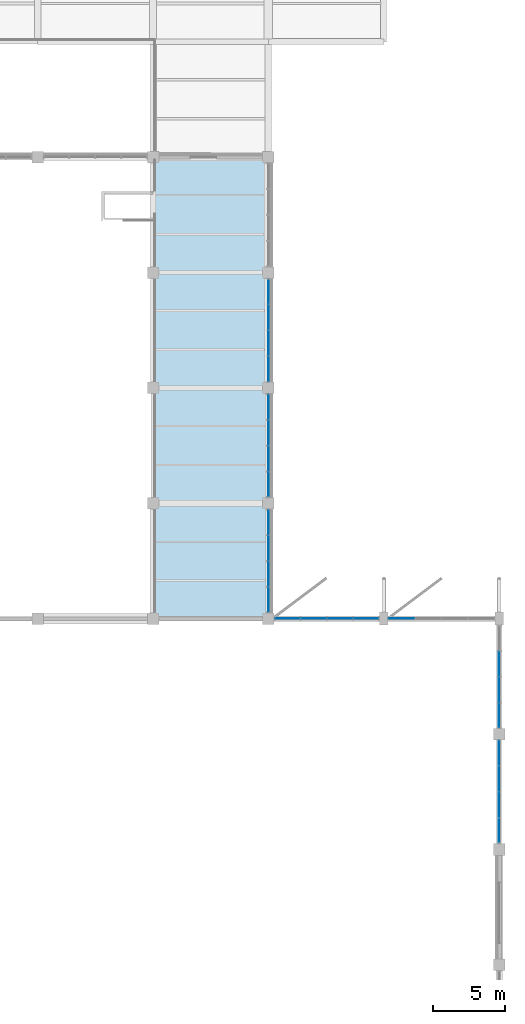
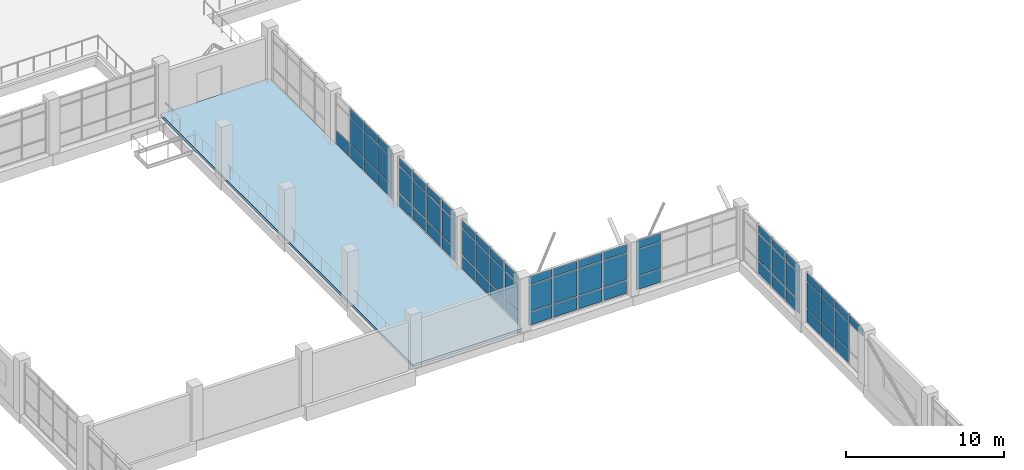
# One storey, part 68 of 84: 68 plates, 1 slab, 7 elements without a shape of their own.
"""IFC4 building model written with IfcOpenShell, lengths in metres."""

from ifc_helpers import new_model, si_unit, direction, frame, origin, origin_2d, place, context, subcontext, project, spatial, polyline, rectangle, outline, extrude, material, layer, layer_set, type_object, element, aggregate, save


model = new_model("IFC4")

# Units and contexts
model_context = context("Model", 3, precision=1e-05, world=origin(), true_north=direction((0.0, 1.0)))
body_context = subcontext(model_context, "Body", "Model", "MODEL_VIEW")
ifc_project = project(units=[si_unit("LENGTHUNIT", "METRE"), si_unit("AREAUNIT", "SQUARE_METRE"), si_unit("VOLUMEUNIT", "CUBIC_METRE"), si_unit("PLANEANGLEUNIT", "RADIAN"), si_unit("MASSUNIT", "GRAM", prefix="KILO")], contexts=[model_context])

# Site, building, storey
site_placement = place(None, origin())
site = spatial("IfcSite", under=ifc_project, at=site_placement, CompositionType="ELEMENT")
building_placement = place(site_placement, origin())
building = spatial("IfcBuilding", under=site, at=building_placement, Name="Tenunan Teduh Sports Hall", CompositionType="ELEMENT")
storey_placement = place(building_placement, frame((0.0, 0.0, 10.800048828125)))
storey = spatial("IfcBuildingStorey", under=building, at=storey_placement, Name="L02", CompositionType="ELEMENT", Elevation=10.800048828125)

# Curtain wall, plates
ifc_material_1 = material(Name="Anodised aluminium", Category="aluminium")
curtain_wall_type_1 = type_object("IfcCurtainWallType", Name="CW-UNIT-2", PredefinedType="NOTDEFINED", material=ifc_material_1)
curtain_wall_1_placement = place(storey_placement, origin())
curtain_wall_1 = element("IfcCurtainWall", 1, at=curtain_wall_1_placement, inside=storey, type_object=curtain_wall_type_1, Name="CW-CWM-200-L02-132", PredefinedType="NOTDEFINED")
ifc_material_2 = material(Name="Low-E laminated double glazing", Category="glass")
ifc_layer_1 = layer(ifc_material_2, 0.028076171875)
ifc_layer_set_1 = layer_set([ifc_layer_1], Name="Low-E laminated double glazing")
plate_type_1 = type_object("IfcPlateType", Name="CWP-GLZ-28", PredefinedType="CURTAIN_PANEL", material=ifc_layer_set_1)
plate_1_placement = place(storey_placement, frame((154.0, 47.3173828125, 1.134765625), z_axis=(0.0, 0.0, 1.0), x_axis=(0.0, 1.0, 0.0)))
plate_1 = element("IfcPlate", 2, at=plate_1_placement, type_object=plate_type_1, Name="CW-02 panel 1.2", PredefinedType="CURTAIN_PANEL", context=body_context, shape_type="SweptSolid", body=[
    extrude(rectangle(XDim=1.695068359375, YDim=0.028076171875, at=origin_2d()), origin(), (0.0, 0.0, 1.0), 2.030029296875),
])
plate_2_placement = place(storey_placement, frame((154.0, 47.3173828125, 3.23486328125), z_axis=(0.0, 0.0, 1.0), x_axis=(0.0, 1.0, 0.0)))
plate_2 = element("IfcPlate", 3, at=plate_2_placement, type_object=plate_type_1, Name="CW-02 panel 1.3", PredefinedType="CURTAIN_PANEL", context=body_context, shape_type="SweptSolid", body=[
    extrude(rectangle(XDim=1.695068359375, YDim=0.028076171875, at=origin_2d()), origin(), (0.0, 0.0, 1.0), 0.614990234375),
])
plate_3_placement = place(storey_placement, frame((154.0, 49.10009765625, 1.134765625), z_axis=(0.0, 0.0, 1.0), x_axis=(0.0, 1.0, 0.0)))
plate_3 = element("IfcPlate", 4, at=plate_3_placement, type_object=plate_type_1, Name="CW-02 panel 2.2", PredefinedType="CURTAIN_PANEL", context=body_context, shape_type="SweptSolid", body=[
    extrude(rectangle(XDim=1.72998046875, YDim=0.028076171875, at=origin_2d()), origin(), (0.0, 0.0, 1.0), 2.030029296875),
])
plate_4_placement = place(storey_placement, frame((154.0, 49.10009765625, 3.23486328125), z_axis=(0.0, 0.0, 1.0), x_axis=(0.0, 1.0, 0.0)))
plate_4 = element("IfcPlate", 5, at=plate_4_placement, type_object=plate_type_1, Name="CW-02 panel 2.3", PredefinedType="CURTAIN_PANEL", context=body_context, shape_type="SweptSolid", body=[
    extrude(rectangle(XDim=1.72998046875, YDim=0.028076171875, at=origin_2d()), origin(), (0.0, 0.0, 1.0), 0.614990234375),
])
plate_5_placement = place(storey_placement, frame((154.0, 50.89990234375, 1.134765625), z_axis=(0.0, 0.0, 1.0), x_axis=(0.0, 1.0, 0.0)))
plate_5 = element("IfcPlate", 6, at=plate_5_placement, type_object=plate_type_1, Name="CW-02 panel 3.2", PredefinedType="CURTAIN_PANEL", context=body_context, shape_type="SweptSolid", body=[
    extrude(rectangle(XDim=1.72998046875, YDim=0.028076171875, at=origin_2d()), origin(), (0.0, 0.0, 1.0), 2.030029296875),
])
plate_6_placement = place(storey_placement, frame((154.0, 50.89990234375, 3.23486328125), z_axis=(0.0, 0.0, 1.0), x_axis=(0.0, 1.0, 0.0)))
plate_6 = element("IfcPlate", 7, at=plate_6_placement, type_object=plate_type_1, Name="CW-02 panel 3.3", PredefinedType="CURTAIN_PANEL", context=body_context, shape_type="SweptSolid", body=[
    extrude(rectangle(XDim=1.72998046875, YDim=0.028076171875, at=origin_2d()), origin(), (0.0, 0.0, 1.0), 0.614990234375),
])
plate_7_placement = place(storey_placement, frame((154.0, 52.6826171875, 1.134765625), z_axis=(0.0, 0.0, 1.0), x_axis=(0.0, 1.0, 0.0)))
plate_7 = element("IfcPlate", 8, at=plate_7_placement, type_object=plate_type_1, Name="CW-02 panel 4.2", PredefinedType="CURTAIN_PANEL", context=body_context, shape_type="SweptSolid", body=[
    extrude(rectangle(XDim=1.695068359375, YDim=0.028076171875, at=origin_2d()), origin(), (0.0, 0.0, 1.0), 2.030029296875),
])
plate_8_placement = place(storey_placement, frame((154.0, 52.6826171875, 3.23486328125), z_axis=(0.0, 0.0, 1.0), x_axis=(0.0, 1.0, 0.0)))
plate_8 = element("IfcPlate", 9, at=plate_8_placement, type_object=plate_type_1, Name="CW-02 panel 4.3", PredefinedType="CURTAIN_PANEL", context=body_context, shape_type="SweptSolid", body=[
    extrude(rectangle(XDim=1.695068359375, YDim=0.028076171875, at=origin_2d()), origin(), (0.0, 0.0, 1.0), 0.614990234375),
])

ifc_material_3 = material(Name="Anodised aluminium", Category="aluminium")
curtain_wall_type_2 = type_object("IfcCurtainWallType", Name="CW-CLER-1", PredefinedType="NOTDEFINED", material=ifc_material_3)
curtain_wall_2_placement = place(storey_placement, origin())
curtain_wall_2 = element("IfcCurtainWall", 10, at=curtain_wall_2_placement, inside=storey, type_object=curtain_wall_type_2, Name="CW-CWM-220-L02-025", PredefinedType="NOTDEFINED")
ifc_material_4 = material(Name="Solar-control laminated glazing", Category="glass")
ifc_layer_2 = layer(ifc_material_4, 0.031982421875)
ifc_layer_set_2 = layer_set([ifc_layer_2], Name="Solar-control laminated glazing")
plate_type_2 = type_object("IfcPlateType", Name="CWP-GLZ-32", PredefinedType="CURTAIN_PANEL", material=ifc_layer_set_2)
plate_9_placement = place(storey_placement, frame((155.331298828125, 46.0, 1.137451171875), z_axis=(0.0, 0.0, 1.0), x_axis=(1.0, 0.0, 0.0)))
plate_9 = element("IfcPlate", 11, at=plate_9_placement, type_object=plate_type_2, Name="CW-03 panel 1.2", PredefinedType="CURTAIN_PANEL", context=body_context, shape_type="SweptSolid", body=[
    extrude(rectangle(XDim=1.71240234375, YDim=0.031982421875, at=origin_2d()), origin(), (0.0, 0.0, 1.0), 2.02490234375),
])
plate_10_placement = place(storey_placement, frame((155.331298828125, 46.0, 3.237548828125), z_axis=(0.0, 0.0, 1.0), x_axis=(1.0, 0.0, 0.0)))
plate_10 = element("IfcPlate", 12, at=plate_10_placement, type_object=plate_type_2, Name="CW-03 panel 1.3", PredefinedType="CURTAIN_PANEL", context=body_context, shape_type="SweptSolid", body=[
    extrude(rectangle(XDim=1.71240234375, YDim=0.031982421875, at=origin_2d()), origin(), (0.0, 0.0, 1.0), 0.607421875),
])
plate_11_placement = place(storey_placement, frame((157.137451171875, 46.0, 1.137451171875), z_axis=(0.0, 0.0, 1.0), x_axis=(1.0, 0.0, 0.0)))
plate_11 = element("IfcPlate", 13, at=plate_11_placement, type_object=plate_type_2, Name="CW-03 panel 2.2", PredefinedType="CURTAIN_PANEL", context=body_context, shape_type="SweptSolid", body=[
    extrude(rectangle(XDim=1.75, YDim=0.031982421875, at=origin_2d()), origin(), (0.0, 0.0, 1.0), 2.02490234375),
])
plate_12_placement = place(storey_placement, frame((157.137451171875, 46.0, 3.237548828125), z_axis=(0.0, 0.0, 1.0), x_axis=(1.0, 0.0, 0.0)))
plate_12 = element("IfcPlate", 14, at=plate_12_placement, type_object=plate_type_2, Name="CW-03 panel 2.3", PredefinedType="CURTAIN_PANEL", context=body_context, shape_type="SweptSolid", body=[
    extrude(rectangle(XDim=1.75, YDim=0.031982421875, at=origin_2d()), origin(), (0.0, 0.0, 1.0), 0.607421875),
])
plate_13_placement = place(storey_placement, frame((158.96240234375, 46.0, 1.137451171875), z_axis=(0.0, 0.0, 1.0), x_axis=(1.0, 0.0, 0.0)))
plate_13 = element("IfcPlate", 15, at=plate_13_placement, type_object=plate_type_2, Name="CW-03 panel 3.2", PredefinedType="CURTAIN_PANEL", context=body_context, shape_type="SweptSolid", body=[
    extrude(rectangle(XDim=1.75, YDim=0.031982421875, at=origin_2d()), origin(), (0.0, 0.0, 1.0), 2.02490234375),
])
plate_14_placement = place(storey_placement, frame((158.96240234375, 46.0, 3.237548828125), z_axis=(0.0, 0.0, 1.0), x_axis=(1.0, 0.0, 0.0)))
plate_14 = element("IfcPlate", 16, at=plate_14_placement, type_object=plate_type_2, Name="CW-03 panel 3.3", PredefinedType="CURTAIN_PANEL", context=body_context, shape_type="SweptSolid", body=[
    extrude(rectangle(XDim=1.75, YDim=0.031982421875, at=origin_2d()), origin(), (0.0, 0.0, 1.0), 0.607421875),
])
plate_15_placement = place(storey_placement, frame((160.768798828125, 46.0, 1.137451171875), z_axis=(0.0, 0.0, 1.0), x_axis=(1.0, 0.0, 0.0)))
plate_15 = element("IfcPlate", 17, at=plate_15_placement, type_object=plate_type_2, Name="CW-03 panel 4.2", PredefinedType="CURTAIN_PANEL", context=body_context, shape_type="SweptSolid", body=[
    extrude(rectangle(XDim=1.71240234375, YDim=0.031982421875, at=origin_2d()), origin(), (0.0, 0.0, 1.0), 2.02490234375),
])
plate_16_placement = place(storey_placement, frame((160.768798828125, 46.0, 3.237548828125), z_axis=(0.0, 0.0, 1.0), x_axis=(1.0, 0.0, 0.0)))
plate_16 = element("IfcPlate", 18, at=plate_16_placement, type_object=plate_type_2, Name="CW-03 panel 4.3", PredefinedType="CURTAIN_PANEL", context=body_context, shape_type="SweptSolid", body=[
    extrude(rectangle(XDim=1.71240234375, YDim=0.031982421875, at=origin_2d()), origin(), (0.0, 0.0, 1.0), 0.607421875),
])

curtain_wall_3_placement = place(storey_placement, origin())
curtain_wall_3 = element("IfcCurtainWall", 19, at=curtain_wall_3_placement, inside=storey, type_object=curtain_wall_type_2, Name="CW-CWM-150-L02-027", PredefinedType="NOTDEFINED")
plate_17_placement = place(storey_placement, frame((163.239990234375, 46.0, 1.1298828125), z_axis=(0.0, 0.0, 1.0), x_axis=(1.0, 0.0, 0.0)))
plate_17 = element("IfcPlate", 20, at=plate_17_placement, type_object=plate_type_2, Name="CW-03 panel 1.2", PredefinedType="CURTAIN_PANEL", context=body_context, shape_type="SweptSolid", body=[
    extrude(rectangle(XDim=1.760009765625, YDim=0.031982421875, at=origin_2d()), origin(), (0.0, 0.0, 1.0), 2.0400390625),
])
plate_18_placement = place(storey_placement, frame((163.239990234375, 46.0, 3.22998046875), z_axis=(0.0, 0.0, 1.0), x_axis=(1.0, 0.0, 0.0)))
plate_18 = element("IfcPlate", 21, at=plate_18_placement, type_object=plate_type_2, Name="CW-03 panel 1.3", PredefinedType="CURTAIN_PANEL", context=body_context, shape_type="SweptSolid", body=[
    extrude(rectangle(XDim=1.760009765625, YDim=0.031982421875, at=origin_2d()), origin(), (0.0, 0.0, 1.0), 0.6298828125),
])

curtain_wall_4_placement = place(storey_placement, origin())
curtain_wall_4 = element("IfcCurtainWall", 22, at=curtain_wall_4_placement, inside=storey, type_object=curtain_wall_type_1, Name="CW-CWM-150-L02-031", PredefinedType="NOTDEFINED")
plate_19_placement = place(storey_placement, frame((170.0, 31.31494140625, 3.22998046875), z_axis=(0.0, 0.0, 1.0), x_axis=(0.0, 1.0, 0.0)))
plate_19 = element("IfcPlate", 23, at=plate_19_placement, type_object=plate_type_2, Name="CW-02 panel 1.3", PredefinedType="CURTAIN_PANEL", context=body_context, shape_type="SweptSolid", body=[
    extrude(rectangle(XDim=1.7099609375, YDim=0.031982421875, at=origin_2d()), origin(), (0.0, 0.0, 1.0), 0.6298828125),
])
plate_20_placement = place(storey_placement, frame((170.0, 33.10009765625, 1.1298828125), z_axis=(0.0, 0.0, 1.0), x_axis=(0.0, 1.0, 0.0)))
plate_20 = element("IfcPlate", 24, at=plate_20_placement, type_object=plate_type_2, Name="CW-02 panel 2.2", PredefinedType="CURTAIN_PANEL", context=body_context, shape_type="SweptSolid", body=[
    extrude(rectangle(XDim=1.739990234375, YDim=0.031982421875, at=origin_2d()), origin(), (0.0, 0.0, 1.0), 2.0400390625),
])
plate_21_placement = place(storey_placement, frame((170.0, 33.10009765625, 3.22998046875), z_axis=(0.0, 0.0, 1.0), x_axis=(0.0, 1.0, 0.0)))
plate_21 = element("IfcPlate", 25, at=plate_21_placement, type_object=plate_type_2, Name="CW-02 panel 2.3", PredefinedType="CURTAIN_PANEL", context=body_context, shape_type="SweptSolid", body=[
    extrude(rectangle(XDim=1.739990234375, YDim=0.031982421875, at=origin_2d()), origin(), (0.0, 0.0, 1.0), 0.6298828125),
])
plate_22_placement = place(storey_placement, frame((170.0, 34.89990234375, 1.1298828125), z_axis=(0.0, 0.0, 1.0), x_axis=(0.0, 1.0, 0.0)))
plate_22 = element("IfcPlate", 26, at=plate_22_placement, type_object=plate_type_2, Name="CW-02 panel 3.2", PredefinedType="CURTAIN_PANEL", context=body_context, shape_type="SweptSolid", body=[
    extrude(rectangle(XDim=1.739990234375, YDim=0.031982421875, at=origin_2d()), origin(), (0.0, 0.0, 1.0), 2.0400390625),
])
plate_23_placement = place(storey_placement, frame((170.0, 34.89990234375, 3.22998046875), z_axis=(0.0, 0.0, 1.0), x_axis=(0.0, 1.0, 0.0)))
plate_23 = element("IfcPlate", 27, at=plate_23_placement, type_object=plate_type_2, Name="CW-02 panel 3.3", PredefinedType="CURTAIN_PANEL", context=body_context, shape_type="SweptSolid", body=[
    extrude(rectangle(XDim=1.739990234375, YDim=0.031982421875, at=origin_2d()), origin(), (0.0, 0.0, 1.0), 0.6298828125),
])
plate_24_placement = place(storey_placement, frame((170.0, 36.68505859375, 1.1298828125), z_axis=(0.0, 0.0, 1.0), x_axis=(0.0, 1.0, 0.0)))
plate_24 = element("IfcPlate", 28, at=plate_24_placement, type_object=plate_type_2, Name="CW-02 panel 4.2", PredefinedType="CURTAIN_PANEL", context=body_context, shape_type="SweptSolid", body=[
    extrude(rectangle(XDim=1.7099609375, YDim=0.031982421875, at=origin_2d()), origin(), (0.0, 0.0, 1.0), 2.0400390625),
])
plate_25_placement = place(storey_placement, frame((170.0, 36.68505859375, 3.22998046875), z_axis=(0.0, 0.0, 1.0), x_axis=(0.0, 1.0, 0.0)))
plate_25 = element("IfcPlate", 29, at=plate_25_placement, type_object=plate_type_2, Name="CW-02 panel 4.3", PredefinedType="CURTAIN_PANEL", context=body_context, shape_type="SweptSolid", body=[
    extrude(rectangle(XDim=1.7099609375, YDim=0.031982421875, at=origin_2d()), origin(), (0.0, 0.0, 1.0), 0.6298828125),
])

curtain_wall_5_placement = place(storey_placement, origin())
curtain_wall_5 = element("IfcCurtainWall", 30, at=curtain_wall_5_placement, inside=storey, type_object=curtain_wall_type_1, Name="CW-CWM-220-L02-033", PredefinedType="NOTDEFINED")
plate_26_placement = place(storey_placement, frame((170.0, 39.3125, 1.137451171875), z_axis=(0.0, 0.0, 1.0), x_axis=(0.0, 1.0, 0.0)))
plate_26 = element("IfcPlate", 31, at=plate_26_placement, type_object=plate_type_2, Name="CW-02 panel 1.2", PredefinedType="CURTAIN_PANEL", context=body_context, shape_type="SweptSolid", body=[
    extrude(rectangle(XDim=1.675048828125, YDim=0.031982421875, at=origin_2d()), origin(), (0.0, 0.0, 1.0), 2.02490234375),
])
plate_27_placement = place(storey_placement, frame((170.0, 39.3125, 3.237548828125), z_axis=(0.0, 0.0, 1.0), x_axis=(0.0, 1.0, 0.0)))
plate_27 = element("IfcPlate", 32, at=plate_27_placement, type_object=plate_type_2, Name="CW-02 panel 1.3", PredefinedType="CURTAIN_PANEL", context=body_context, shape_type="SweptSolid", body=[
    extrude(rectangle(XDim=1.675048828125, YDim=0.031982421875, at=origin_2d()), origin(), (0.0, 0.0, 1.0), 0.607421875),
])
plate_28_placement = place(storey_placement, frame((170.0, 41.081298828125, 1.137451171875), z_axis=(0.0, 0.0, 1.0), x_axis=(0.0, 1.0, 0.0)))
plate_28 = element("IfcPlate", 33, at=plate_28_placement, type_object=plate_type_2, Name="CW-02 panel 2.2", PredefinedType="CURTAIN_PANEL", context=body_context, shape_type="SweptSolid", body=[
    extrude(rectangle(XDim=1.71240234375, YDim=0.031982421875, at=origin_2d()), origin(), (0.0, 0.0, 1.0), 2.02490234375),
])
plate_29_placement = place(storey_placement, frame((170.0, 41.081298828125, 3.237548828125), z_axis=(0.0, 0.0, 1.0), x_axis=(0.0, 1.0, 0.0)))
plate_29 = element("IfcPlate", 34, at=plate_29_placement, type_object=plate_type_2, Name="CW-02 panel 2.3", PredefinedType="CURTAIN_PANEL", context=body_context, shape_type="SweptSolid", body=[
    extrude(rectangle(XDim=1.71240234375, YDim=0.031982421875, at=origin_2d()), origin(), (0.0, 0.0, 1.0), 0.607421875),
])
plate_30_placement = place(storey_placement, frame((170.0, 42.86865234375, 1.137451171875), z_axis=(0.0, 0.0, 1.0), x_axis=(0.0, 1.0, 0.0)))
plate_30 = element("IfcPlate", 35, at=plate_30_placement, type_object=plate_type_2, Name="CW-02 panel 3.2", PredefinedType="CURTAIN_PANEL", context=body_context, shape_type="SweptSolid", body=[
    extrude(rectangle(XDim=1.71240234375, YDim=0.031982421875, at=origin_2d()), origin(), (0.0, 0.0, 1.0), 2.02490234375),
])
plate_31_placement = place(storey_placement, frame((170.0, 42.86865234375, 3.237548828125), z_axis=(0.0, 0.0, 1.0), x_axis=(0.0, 1.0, 0.0)))
plate_31 = element("IfcPlate", 36, at=plate_31_placement, type_object=plate_type_2, Name="CW-02 panel 3.3", PredefinedType="CURTAIN_PANEL", context=body_context, shape_type="SweptSolid", body=[
    extrude(rectangle(XDim=1.71240234375, YDim=0.031982421875, at=origin_2d()), origin(), (0.0, 0.0, 1.0), 0.607421875),
])

curtain_wall_6_placement = place(storey_placement, origin())
curtain_wall_6 = element("IfcCurtainWall", 37, at=curtain_wall_6_placement, inside=storey, type_object=curtain_wall_type_1, Name="CW-CWM-220-L02-133", PredefinedType="NOTDEFINED")
plate_32_placement = place(storey_placement, frame((154.0, 55.31884765625, 1.137451171875), z_axis=(0.0, 0.0, 1.0), x_axis=(0.0, 1.0, 0.0)))
plate_32 = element("IfcPlate", 38, at=plate_32_placement, type_object=plate_type_2, Name="CW-02 panel 1.2", PredefinedType="CURTAIN_PANEL", context=body_context, shape_type="SweptSolid", body=[
    extrude(rectangle(XDim=1.6875, YDim=0.031982421875, at=origin_2d()), origin(), (0.0, 0.0, 1.0), 2.02490234375),
])
plate_33_placement = place(storey_placement, frame((154.0, 55.31884765625, 3.237548828125), z_axis=(0.0, 0.0, 1.0), x_axis=(0.0, 1.0, 0.0)))
plate_33 = element("IfcPlate", 39, at=plate_33_placement, type_object=plate_type_2, Name="CW-02 panel 1.3", PredefinedType="CURTAIN_PANEL", context=body_context, shape_type="SweptSolid", body=[
    extrude(rectangle(XDim=1.6875, YDim=0.031982421875, at=origin_2d()), origin(), (0.0, 0.0, 1.0), 0.607421875),
])
plate_34_placement = place(storey_placement, frame((154.0, 57.10009765625, 1.137451171875), z_axis=(0.0, 0.0, 1.0), x_axis=(0.0, 1.0, 0.0)))
plate_34 = element("IfcPlate", 40, at=plate_34_placement, type_object=plate_type_2, Name="CW-02 panel 2.2", PredefinedType="CURTAIN_PANEL", context=body_context, shape_type="SweptSolid", body=[
    extrude(rectangle(XDim=1.72509765625, YDim=0.031982421875, at=origin_2d()), origin(), (0.0, 0.0, 1.0), 2.02490234375),
])
plate_35_placement = place(storey_placement, frame((154.0, 57.10009765625, 3.237548828125), z_axis=(0.0, 0.0, 1.0), x_axis=(0.0, 1.0, 0.0)))
plate_35 = element("IfcPlate", 41, at=plate_35_placement, type_object=plate_type_2, Name="CW-02 panel 2.3", PredefinedType="CURTAIN_PANEL", context=body_context, shape_type="SweptSolid", body=[
    extrude(rectangle(XDim=1.72509765625, YDim=0.031982421875, at=origin_2d()), origin(), (0.0, 0.0, 1.0), 0.607421875),
])
plate_36_placement = place(storey_placement, frame((154.0, 58.89990234375, 1.137451171875), z_axis=(0.0, 0.0, 1.0), x_axis=(0.0, 1.0, 0.0)))
plate_36 = element("IfcPlate", 42, at=plate_36_placement, type_object=plate_type_2, Name="CW-02 panel 3.2", PredefinedType="CURTAIN_PANEL", context=body_context, shape_type="SweptSolid", body=[
    extrude(rectangle(XDim=1.72509765625, YDim=0.031982421875, at=origin_2d()), origin(), (0.0, 0.0, 1.0), 2.02490234375),
])
plate_37_placement = place(storey_placement, frame((154.0, 58.89990234375, 3.237548828125), z_axis=(0.0, 0.0, 1.0), x_axis=(0.0, 1.0, 0.0)))
plate_37 = element("IfcPlate", 43, at=plate_37_placement, type_object=plate_type_2, Name="CW-02 panel 3.3", PredefinedType="CURTAIN_PANEL", context=body_context, shape_type="SweptSolid", body=[
    extrude(rectangle(XDim=1.72509765625, YDim=0.031982421875, at=origin_2d()), origin(), (0.0, 0.0, 1.0), 0.607421875),
])
plate_38_placement = place(storey_placement, frame((154.0, 60.68115234375, 1.137451171875), z_axis=(0.0, 0.0, 1.0), x_axis=(0.0, 1.0, 0.0)))
plate_38 = element("IfcPlate", 44, at=plate_38_placement, type_object=plate_type_2, Name="CW-02 panel 4.2", PredefinedType="CURTAIN_PANEL", context=body_context, shape_type="SweptSolid", body=[
    extrude(rectangle(XDim=1.6875, YDim=0.031982421875, at=origin_2d()), origin(), (0.0, 0.0, 1.0), 2.02490234375),
])
plate_39_placement = place(storey_placement, frame((154.0, 60.68115234375, 3.237548828125), z_axis=(0.0, 0.0, 1.0), x_axis=(0.0, 1.0, 0.0)))
plate_39 = element("IfcPlate", 45, at=plate_39_placement, type_object=plate_type_2, Name="CW-02 panel 4.3", PredefinedType="CURTAIN_PANEL", context=body_context, shape_type="SweptSolid", body=[
    extrude(rectangle(XDim=1.6875, YDim=0.031982421875, at=origin_2d()), origin(), (0.0, 0.0, 1.0), 0.607421875),
])

curtain_wall_7_placement = place(storey_placement, origin())
curtain_wall_7 = element("IfcCurtainWall", 46, at=curtain_wall_7_placement, inside=storey, type_object=curtain_wall_type_1, Name="CW-CWM-150-L02-135", PredefinedType="NOTDEFINED")
plate_40_placement = place(storey_placement, frame((154.0, 63.31494140625, 1.1298828125), z_axis=(0.0, 0.0, 1.0), x_axis=(0.0, 1.0, 0.0)))
plate_40 = element("IfcPlate", 47, at=plate_40_placement, type_object=plate_type_2, Name="CW-02 panel 1.2", PredefinedType="CURTAIN_PANEL", context=body_context, shape_type="SweptSolid", body=[
    extrude(rectangle(XDim=1.7099609375, YDim=0.031982421875, at=origin_2d()), origin(), (0.0, 0.0, 1.0), 2.0400390625),
])
plate_41_placement = place(storey_placement, frame((154.0, 63.31494140625, 3.22998046875), z_axis=(0.0, 0.0, 1.0), x_axis=(0.0, 1.0, 0.0)))
plate_41 = element("IfcPlate", 48, at=plate_41_placement, type_object=plate_type_2, Name="CW-02 panel 1.3", PredefinedType="CURTAIN_PANEL", context=body_context, shape_type="SweptSolid", body=[
    extrude(rectangle(XDim=1.7099609375, YDim=0.031982421875, at=origin_2d()), origin(), (0.0, 0.0, 1.0), 0.6298828125),
])
plate_42_placement = place(storey_placement, frame((154.0, 65.10009765625, 1.1298828125), z_axis=(0.0, 0.0, 1.0), x_axis=(0.0, 1.0, 0.0)))
plate_42 = element("IfcPlate", 49, at=plate_42_placement, type_object=plate_type_2, Name="CW-02 panel 2.2", PredefinedType="CURTAIN_PANEL", context=body_context, shape_type="SweptSolid", body=[
    extrude(rectangle(XDim=1.739990234375, YDim=0.031982421875, at=origin_2d()), origin(), (0.0, 0.0, 1.0), 2.0400390625),
])
plate_43_placement = place(storey_placement, frame((154.0, 65.10009765625, 3.22998046875), z_axis=(0.0, 0.0, 1.0), x_axis=(0.0, 1.0, 0.0)))
plate_43 = element("IfcPlate", 50, at=plate_43_placement, type_object=plate_type_2, Name="CW-02 panel 2.3", PredefinedType="CURTAIN_PANEL", context=body_context, shape_type="SweptSolid", body=[
    extrude(rectangle(XDim=1.739990234375, YDim=0.031982421875, at=origin_2d()), origin(), (0.0, 0.0, 1.0), 0.6298828125),
])
plate_44_placement = place(storey_placement, frame((154.0, 66.89990234375, 1.1298828125), z_axis=(0.0, 0.0, 1.0), x_axis=(0.0, 1.0, 0.0)))
plate_44 = element("IfcPlate", 51, at=plate_44_placement, type_object=plate_type_2, Name="CW-02 panel 3.2", PredefinedType="CURTAIN_PANEL", context=body_context, shape_type="SweptSolid", body=[
    extrude(rectangle(XDim=1.739990234375, YDim=0.031982421875, at=origin_2d()), origin(), (0.0, 0.0, 1.0), 2.0400390625),
])
plate_45_placement = place(storey_placement, frame((154.0, 66.89990234375, 3.22998046875), z_axis=(0.0, 0.0, 1.0), x_axis=(0.0, 1.0, 0.0)))
plate_45 = element("IfcPlate", 52, at=plate_45_placement, type_object=plate_type_2, Name="CW-02 panel 3.3", PredefinedType="CURTAIN_PANEL", context=body_context, shape_type="SweptSolid", body=[
    extrude(rectangle(XDim=1.739990234375, YDim=0.031982421875, at=origin_2d()), origin(), (0.0, 0.0, 1.0), 0.6298828125),
])

# Plate
ifc_material_5 = material(Name="Insulated aluminium spandrel panel", Category="aluminium")
ifc_layer_3 = layer(ifc_material_5, 0.044921875)
ifc_layer_set_3 = layer_set([ifc_layer_3], Name="Insulated aluminium spandrel panel")
plate_type_3 = type_object("IfcPlateType", Name="CWP-SPN-45", PredefinedType="CURTAIN_PANEL", material=ifc_layer_set_3)
plate_46_placement = place(storey_placement, frame((155.331298828125, 46.0, 0.07470703125), z_axis=(0.0, 0.0, 1.0), x_axis=(1.0, 0.0, 0.0)))
plate_46 = element("IfcPlate", 53, at=plate_46_placement, type_object=plate_type_3, Name="CW-03 panel 1.1", PredefinedType="CURTAIN_PANEL", context=body_context, shape_type="SweptSolid", body=[
    extrude(rectangle(XDim=1.71240234375, YDim=0.031982421875, at=origin_2d()), origin(), (0.0, 0.0, 1.0), 0.987548828125),
])

plate_47_placement = place(storey_placement, frame((157.137451171875, 46.0, 0.07470703125), z_axis=(0.0, 0.0, 1.0), x_axis=(1.0, 0.0, 0.0)))
plate_47 = element("IfcPlate", 54, at=plate_47_placement, type_object=plate_type_3, Name="CW-03 panel 2.1", PredefinedType="CURTAIN_PANEL", context=body_context, shape_type="SweptSolid", body=[
    extrude(rectangle(XDim=1.75, YDim=0.031982421875, at=origin_2d()), origin(), (0.0, 0.0, 1.0), 0.987548828125),
])

plate_48_placement = place(storey_placement, frame((158.96240234375, 46.0, 0.07470703125), z_axis=(0.0, 0.0, 1.0), x_axis=(1.0, 0.0, 0.0)))
plate_48 = element("IfcPlate", 55, at=plate_48_placement, type_object=plate_type_3, Name="CW-03 panel 3.1", PredefinedType="CURTAIN_PANEL", context=body_context, shape_type="SweptSolid", body=[
    extrude(rectangle(XDim=1.75, YDim=0.031982421875, at=origin_2d()), origin(), (0.0, 0.0, 1.0), 0.987548828125),
])

plate_49_placement = place(storey_placement, frame((160.768798828125, 46.0, 0.07470703125), z_axis=(0.0, 0.0, 1.0), x_axis=(1.0, 0.0, 0.0)))
plate_49 = element("IfcPlate", 56, at=plate_49_placement, type_object=plate_type_3, Name="CW-03 panel 4.1", PredefinedType="CURTAIN_PANEL", context=body_context, shape_type="SweptSolid", body=[
    extrude(rectangle(XDim=1.71240234375, YDim=0.031982421875, at=origin_2d()), origin(), (0.0, 0.0, 1.0), 0.987548828125),
])

aggregate(curtain_wall_2, [plate_46, plate_9, plate_10, plate_47, plate_11, plate_12, plate_48, plate_13, plate_14, plate_49, plate_15, plate_16])

plate_50_placement = place(storey_placement, frame((163.239990234375, 46.0, 0.06005859375), z_axis=(0.0, 0.0, 1.0), x_axis=(1.0, 0.0, 0.0)))
plate_50 = element("IfcPlate", 57, at=plate_50_placement, type_object=plate_type_3, Name="CW-03 panel 1.1", PredefinedType="CURTAIN_PANEL", context=body_context, shape_type="SweptSolid", body=[
    extrude(rectangle(XDim=1.760009765625, YDim=0.031982421875, at=origin_2d()), origin(), (0.0, 0.0, 1.0), 1.010009765625),
])

aggregate(curtain_wall_3, [plate_50, plate_17, plate_18])

plate_51_placement = place(storey_placement, frame((170.0, 33.10009765625, 0.06005859375), z_axis=(0.0, 0.0, 1.0), x_axis=(0.0, 1.0, 0.0)))
plate_51 = element("IfcPlate", 58, at=plate_51_placement, type_object=plate_type_3, Name="CW-02 panel 2.1", PredefinedType="CURTAIN_PANEL", context=body_context, shape_type="SweptSolid", body=[
    extrude(rectangle(XDim=1.739990234375, YDim=0.031982421875, at=origin_2d()), origin(), (0.0, 0.0, 1.0), 1.010009765625),
])

plate_52_placement = place(storey_placement, frame((170.0, 34.89990234375, 0.06005859375), z_axis=(0.0, 0.0, 1.0), x_axis=(0.0, 1.0, 0.0)))
plate_52 = element("IfcPlate", 59, at=plate_52_placement, type_object=plate_type_3, Name="CW-02 panel 3.1", PredefinedType="CURTAIN_PANEL", context=body_context, shape_type="SweptSolid", body=[
    extrude(rectangle(XDim=1.739990234375, YDim=0.031982421875, at=origin_2d()), origin(), (0.0, 0.0, 1.0), 1.010009765625),
])

plate_53_placement = place(storey_placement, frame((170.0, 36.68505859375, 0.06005859375), z_axis=(0.0, 0.0, 1.0), x_axis=(0.0, 1.0, 0.0)))
plate_53 = element("IfcPlate", 60, at=plate_53_placement, type_object=plate_type_3, Name="CW-02 panel 4.1", PredefinedType="CURTAIN_PANEL", context=body_context, shape_type="SweptSolid", body=[
    extrude(rectangle(XDim=1.7099609375, YDim=0.031982421875, at=origin_2d()), origin(), (0.0, 0.0, 1.0), 1.010009765625),
])

aggregate(curtain_wall_4, [plate_19, plate_51, plate_20, plate_21, plate_52, plate_22, plate_23, plate_53, plate_24, plate_25])

plate_54_placement = place(storey_placement, frame((170.0, 39.3125, 0.07470703125), z_axis=(0.0, 0.0, 1.0), x_axis=(0.0, 1.0, 0.0)))
plate_54 = element("IfcPlate", 61, at=plate_54_placement, type_object=plate_type_3, Name="CW-02 panel 1.1", PredefinedType="CURTAIN_PANEL", context=body_context, shape_type="SweptSolid", body=[
    extrude(rectangle(XDim=1.675048828125, YDim=0.031982421875, at=origin_2d()), origin(), (0.0, 0.0, 1.0), 0.987548828125),
])

plate_55_placement = place(storey_placement, frame((170.0, 41.081298828125, 0.07470703125), z_axis=(0.0, 0.0, 1.0), x_axis=(0.0, 1.0, 0.0)))
plate_55 = element("IfcPlate", 62, at=plate_55_placement, type_object=plate_type_3, Name="CW-02 panel 2.1", PredefinedType="CURTAIN_PANEL", context=body_context, shape_type="SweptSolid", body=[
    extrude(rectangle(XDim=1.71240234375, YDim=0.031982421875, at=origin_2d()), origin(), (0.0, 0.0, 1.0), 0.987548828125),
])

plate_56_placement = place(storey_placement, frame((170.0, 42.86865234375, 0.07470703125), z_axis=(0.0, 0.0, 1.0), x_axis=(0.0, 1.0, 0.0)))
plate_56 = element("IfcPlate", 63, at=plate_56_placement, type_object=plate_type_3, Name="CW-02 panel 3.1", PredefinedType="CURTAIN_PANEL", context=body_context, shape_type="SweptSolid", body=[
    extrude(rectangle(XDim=1.71240234375, YDim=0.031982421875, at=origin_2d()), origin(), (0.0, 0.0, 1.0), 0.987548828125),
])

aggregate(curtain_wall_5, [plate_54, plate_26, plate_27, plate_55, plate_28, plate_29, plate_56, plate_30, plate_31])

plate_57_placement = place(storey_placement, frame((154.0, 47.3173828125, 0.06982421875), z_axis=(0.0, 0.0, 1.0), x_axis=(0.0, 1.0, 0.0)))
plate_57 = element("IfcPlate", 64, at=plate_57_placement, type_object=plate_type_3, Name="CW-02 panel 1.1", PredefinedType="CURTAIN_PANEL", context=body_context, shape_type="SweptSolid", body=[
    extrude(rectangle(XDim=1.695068359375, YDim=0.028076171875, at=origin_2d()), origin(), (0.0, 0.0, 1.0), 0.9951171875),
])

plate_58_placement = place(storey_placement, frame((154.0, 49.10009765625, 0.06982421875), z_axis=(0.0, 0.0, 1.0), x_axis=(0.0, 1.0, 0.0)))
plate_58 = element("IfcPlate", 65, at=plate_58_placement, type_object=plate_type_3, Name="CW-02 panel 2.1", PredefinedType="CURTAIN_PANEL", context=body_context, shape_type="SweptSolid", body=[
    extrude(rectangle(XDim=1.72998046875, YDim=0.028076171875, at=origin_2d()), origin(), (0.0, 0.0, 1.0), 0.9951171875),
])

plate_59_placement = place(storey_placement, frame((154.0, 50.89990234375, 0.06982421875), z_axis=(0.0, 0.0, 1.0), x_axis=(0.0, 1.0, 0.0)))
plate_59 = element("IfcPlate", 66, at=plate_59_placement, type_object=plate_type_3, Name="CW-02 panel 3.1", PredefinedType="CURTAIN_PANEL", context=body_context, shape_type="SweptSolid", body=[
    extrude(rectangle(XDim=1.72998046875, YDim=0.028076171875, at=origin_2d()), origin(), (0.0, 0.0, 1.0), 0.9951171875),
])

plate_60_placement = place(storey_placement, frame((154.0, 52.6826171875, 0.06982421875), z_axis=(0.0, 0.0, 1.0), x_axis=(0.0, 1.0, 0.0)))
plate_60 = element("IfcPlate", 67, at=plate_60_placement, type_object=plate_type_3, Name="CW-02 panel 4.1", PredefinedType="CURTAIN_PANEL", context=body_context, shape_type="SweptSolid", body=[
    extrude(rectangle(XDim=1.695068359375, YDim=0.028076171875, at=origin_2d()), origin(), (0.0, 0.0, 1.0), 0.9951171875),
])

aggregate(curtain_wall_1, [plate_57, plate_1, plate_2, plate_58, plate_3, plate_4, plate_59, plate_5, plate_6, plate_60, plate_7, plate_8])

plate_61_placement = place(storey_placement, frame((154.0, 55.31884765625, 0.07470703125), z_axis=(0.0, 0.0, 1.0), x_axis=(0.0, 1.0, 0.0)))
plate_61 = element("IfcPlate", 68, at=plate_61_placement, type_object=plate_type_3, Name="CW-02 panel 1.1", PredefinedType="CURTAIN_PANEL", context=body_context, shape_type="SweptSolid", body=[
    extrude(rectangle(XDim=1.6875, YDim=0.031982421875, at=origin_2d()), origin(), (0.0, 0.0, 1.0), 0.987548828125),
])

plate_62_placement = place(storey_placement, frame((154.0, 57.10009765625, 0.07470703125), z_axis=(0.0, 0.0, 1.0), x_axis=(0.0, 1.0, 0.0)))
plate_62 = element("IfcPlate", 69, at=plate_62_placement, type_object=plate_type_3, Name="CW-02 panel 2.1", PredefinedType="CURTAIN_PANEL", context=body_context, shape_type="SweptSolid", body=[
    extrude(rectangle(XDim=1.72509765625, YDim=0.031982421875, at=origin_2d()), origin(), (0.0, 0.0, 1.0), 0.987548828125),
])

plate_63_placement = place(storey_placement, frame((154.0, 58.89990234375, 0.07470703125), z_axis=(0.0, 0.0, 1.0), x_axis=(0.0, 1.0, 0.0)))
plate_63 = element("IfcPlate", 70, at=plate_63_placement, type_object=plate_type_3, Name="CW-02 panel 3.1", PredefinedType="CURTAIN_PANEL", context=body_context, shape_type="SweptSolid", body=[
    extrude(rectangle(XDim=1.72509765625, YDim=0.031982421875, at=origin_2d()), origin(), (0.0, 0.0, 1.0), 0.987548828125),
])

plate_64_placement = place(storey_placement, frame((154.0, 60.68115234375, 0.07470703125), z_axis=(0.0, 0.0, 1.0), x_axis=(0.0, 1.0, 0.0)))
plate_64 = element("IfcPlate", 71, at=plate_64_placement, type_object=plate_type_3, Name="CW-02 panel 4.1", PredefinedType="CURTAIN_PANEL", context=body_context, shape_type="SweptSolid", body=[
    extrude(rectangle(XDim=1.6875, YDim=0.031982421875, at=origin_2d()), origin(), (0.0, 0.0, 1.0), 0.987548828125),
])

aggregate(curtain_wall_6, [plate_61, plate_32, plate_33, plate_62, plate_34, plate_35, plate_63, plate_36, plate_37, plate_64, plate_38, plate_39])

plate_65_placement = place(storey_placement, frame((154.0, 63.31494140625, 0.06005859375), z_axis=(0.0, 0.0, 1.0), x_axis=(0.0, 1.0, 0.0)))
plate_65 = element("IfcPlate", 72, at=plate_65_placement, type_object=plate_type_3, Name="CW-02 panel 1.1", PredefinedType="CURTAIN_PANEL", context=body_context, shape_type="SweptSolid", body=[
    extrude(rectangle(XDim=1.7099609375, YDim=0.031982421875, at=origin_2d()), origin(), (0.0, 0.0, 1.0), 1.010009765625),
])

plate_66_placement = place(storey_placement, frame((154.0, 65.10009765625, 0.06005859375), z_axis=(0.0, 0.0, 1.0), x_axis=(0.0, 1.0, 0.0)))
plate_66 = element("IfcPlate", 73, at=plate_66_placement, type_object=plate_type_3, Name="CW-02 panel 2.1", PredefinedType="CURTAIN_PANEL", context=body_context, shape_type="SweptSolid", body=[
    extrude(rectangle(XDim=1.739990234375, YDim=0.031982421875, at=origin_2d()), origin(), (0.0, 0.0, 1.0), 1.010009765625),
])

plate_67_placement = place(storey_placement, frame((154.0, 66.89990234375, 0.06005859375), z_axis=(0.0, 0.0, 1.0), x_axis=(0.0, 1.0, 0.0)))
plate_67 = element("IfcPlate", 74, at=plate_67_placement, type_object=plate_type_3, Name="CW-02 panel 3.1", PredefinedType="CURTAIN_PANEL", context=body_context, shape_type="SweptSolid", body=[
    extrude(rectangle(XDim=1.739990234375, YDim=0.031982421875, at=origin_2d()), origin(), (0.0, 0.0, 1.0), 1.010009765625),
])

plate_68_placement = place(storey_placement, frame((154.0, 68.68505859375, 0.06005859375), z_axis=(0.0, 0.0, 1.0), x_axis=(0.0, 1.0, 0.0)))
plate_68 = element("IfcPlate", 75, at=plate_68_placement, type_object=plate_type_3, Name="CW-02 panel 4.1", PredefinedType="CURTAIN_PANEL", context=body_context, shape_type="SweptSolid", body=[
    extrude(rectangle(XDim=1.7099609375, YDim=0.031982421875, at=origin_2d()), origin(), (0.0, 0.0, 1.0), 1.010009765625),
])

aggregate(curtain_wall_7, [plate_65, plate_40, plate_41, plate_66, plate_42, plate_43, plate_67, plate_44, plate_45, plate_68])

# Slab
ifc_material_6 = material(Name="Concrete C40/50", Category="concrete")
ifc_layer_4 = layer(ifc_material_6, 0.2099609375)
ifc_layer_set_4 = layer_set([ifc_layer_4], Name="Concrete C40/50")
slab_type = type_object("IfcSlabType", Name="SLB-FLR-210", PredefinedType="FLOOR", material=ifc_layer_set_4)
slab_placement = place(storey_placement, frame((0.0, 0.0, -0.2099609375)))
element("IfcSlab", 76, at=slab_placement, inside=storey, type_object=slab_type, Name="SL-L02-V3-GAL", PredefinedType="FLOOR", context=body_context, shape_type="SweptSolid", body=[
    extrude(outline(polyline([(146.0, 46.0), (154.0, 46.0), (154.0, 78.0), (146.0, 78.0), (146.0, 46.0)])), origin(), (0.0, 0.0, 1.0), 0.2099609375),
])

save(model, "model.ifc")
